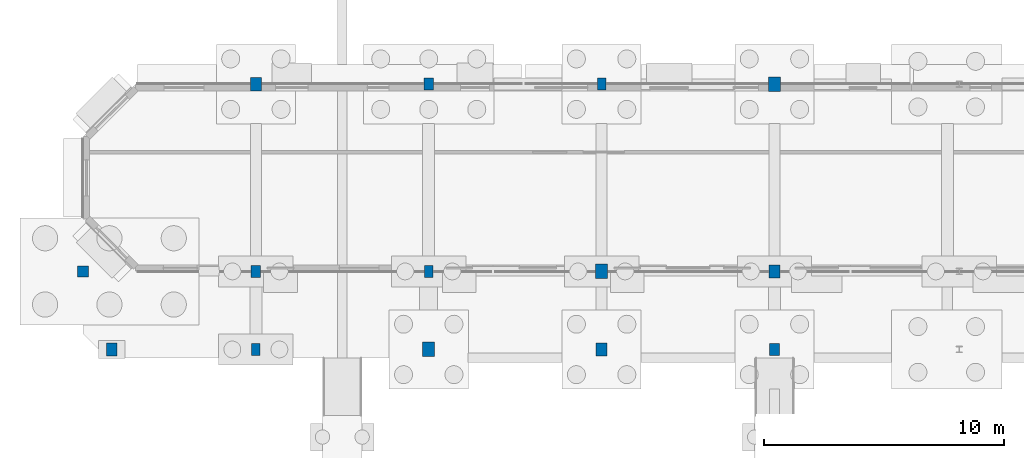
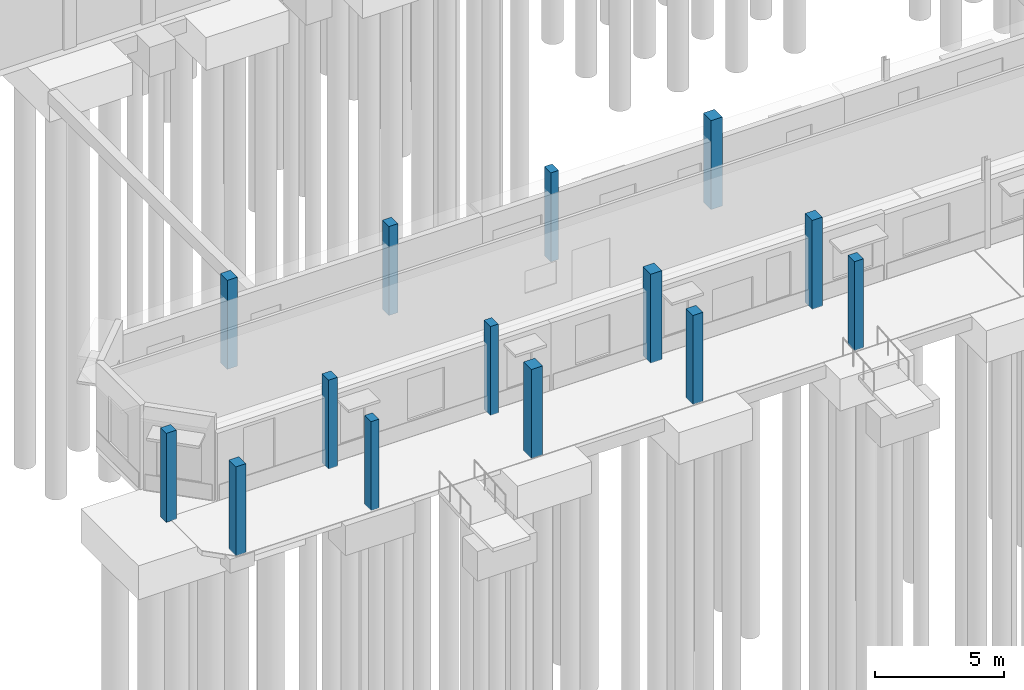
# One storey, part 10 of 93: 14 columns.
"""IFC4 building model written with IfcOpenShell, lengths in metres."""

from ifc_helpers import new_model, si_unit, direction, frame, origin, origin_2d, place, context, subcontext, project, spatial, rectangle, extrude, material, material_profile, profile_set, type_object, element, save


model = new_model("IFC4")

# Units and contexts
model_context = context("Model", 3, precision=1e-05, world=origin(), true_north=direction((0.0, 1.0)))
body_context = subcontext(model_context, "Body", "Model", "MODEL_VIEW")
ifc_project = project(units=[si_unit("LENGTHUNIT", "METRE"), si_unit("AREAUNIT", "SQUARE_METRE"), si_unit("VOLUMEUNIT", "CUBIC_METRE"), si_unit("PLANEANGLEUNIT", "RADIAN"), si_unit("MASSUNIT", "GRAM", prefix="KILO")], contexts=[model_context])

# Site, building, storey
site_placement = place(None, origin())
site = spatial("IfcSite", under=ifc_project, at=site_placement, CompositionType="ELEMENT")
building_placement = place(site_placement, origin())
building = spatial("IfcBuilding", under=site, at=building_placement, Name="Kelanivale Promenade Academy", CompositionType="ELEMENT")
storey_placement = place(building_placement, origin())
storey = spatial("IfcBuildingStorey", under=building, at=storey_placement, Name="L00", CompositionType="ELEMENT", Elevation=0.0)

# Columns
ifc_material = material(Name="Concrete C40/50", Category="concrete")
ifc_material_profile_1 = material_profile(ifc_material, rectangle(XDim=0.449951171875, YDim=0.449951171875, at=origin_2d()), Name="RC-COL 450x450")
ifc_profile_set_1 = profile_set([ifc_material_profile_1], Name="Concrete C40/50")
column_type_1 = type_object("IfcColumnType", Name="C-02 RC-COL 450x450", PredefinedType="COLUMN", material=ifc_profile_set_1)
column_placement = place(storey_placement, frame((0.0, 3.60009765625, 0.0), z_axis=(0.0, 0.0, 1.0), x_axis=(1.0, 0.0, 0.0)))
element("IfcColumn", 1, at=column_placement, inside=storey, type_object=column_type_1, Name="Column C-02 at (0.0, 3.6) L00", PredefinedType="COLUMN", context=body_context, shape_type="SweptSolid", body=[
    extrude(rectangle(XDim=0.449951171875, YDim=0.449951171875, at=origin_2d()), origin(), (0.0, 0.0, 1.0), 4.199951171875),
])
ifc_material_profile_2 = material_profile(ifc_material, rectangle(XDim=0.35009765625, YDim=0.5, at=origin_2d()), Name="RC-PIL 350x500")
ifc_profile_set_2 = profile_set([ifc_material_profile_2], Name="Concrete C40/50")
column_type_2 = type_object("IfcColumnType", Name="PL-15 RC-PIL 350x500", PredefinedType="PILASTER", material=ifc_profile_set_2)
for number, where, z_axis, x_axis, name in (
    (2, (7.199951171875, 0.35009765625, 0.0), (0.0, 0.0, 1.0), (1.0, 0.0, 0.0), "Column PL-15 at (7.2, 0.3) L00"),
    (3, (14.39990234375, 3.60009765625, 0.0), (0.0, 0.0, 1.0), (1.0, 0.0, 0.0), "Column PL-15 at (14.4, 3.6) L00"),
    (4, (21.60009765625, 11.39990234375, 0.0), (0.0, 0.0, 1.0), (1.0, 0.0, 0.0), "Column PL-15 at (21.6, 11.4) L00"),
):
    element("IfcColumn", number, at=place(storey_placement, frame(where, z_axis=z_axis, x_axis=x_axis)), inside=storey, type_object=column_type_2, Name=name, PredefinedType="PILASTER", context=body_context, shape_type="SweptSolid", body=[
        extrude(rectangle(XDim=0.35009765625, YDim=0.5, at=origin_2d()), origin(), (0.0, 0.0, 1.0), 4.199951171875),
    ])
ifc_material_profile_3 = material_profile(ifc_material, rectangle(XDim=0.39990234375, YDim=0.5, at=origin_2d()), Name="RC-PIL 400x500")
ifc_profile_set_3 = profile_set([ifc_material_profile_3], Name="Concrete C40/50")
column_type_3 = type_object("IfcColumnType", Name="PL-16 RC-PIL 400x500", PredefinedType="PILASTER", material=ifc_profile_set_3)
for number, where, z_axis, x_axis, name in (
    (5, (7.199951171875, 3.60009765625, 0.0), (0.0, 0.0, 1.0), (1.0, 0.0, 0.0), "Column PL-16 at (7.2, 3.6) L00"),
    (6, (14.39990234375, 11.39990234375, 0.0), (0.0, 0.0, 1.0), (1.0, 0.0, 0.0), "Column PL-16 at (14.4, 11.4) L00"),
    (7, (28.800048828125, 0.35009765625, 0.0), (0.0, 0.0, 1.0), (1.0, 0.0, 0.0), "Column PL-16 at (28.8, 0.3) L00"),
):
    element("IfcColumn", number, at=place(storey_placement, frame(where, z_axis=z_axis, x_axis=x_axis)), inside=storey, type_object=column_type_3, Name=name, PredefinedType="PILASTER", context=body_context, shape_type="SweptSolid", body=[
        extrude(rectangle(XDim=0.39990234375, YDim=0.5, at=origin_2d()), origin(), (0.0, 0.0, 1.0), 4.199951171875),
    ])
ifc_material_profile_4 = material_profile(ifc_material, rectangle(XDim=0.449951171875, YDim=0.550048828125, at=origin_2d()), Name="RC-PIL 450x550")
ifc_profile_set_4 = profile_set([ifc_material_profile_4], Name="Concrete C40/50")
column_type_4 = type_object("IfcColumnType", Name="PL-17 RC-PIL 450x550", PredefinedType="PILASTER", material=ifc_profile_set_4)
for number, where, z_axis, x_axis, name in (
    (8, (1.199951171875, 0.35009765625, 0.0), (0.0, 0.0, 1.0), (1.0, 0.0, 0.0), "Column PL-17 at (1.2, 0.3) L00"),
    (9, (7.199951171875, 11.39990234375, 0.0), (0.0, 0.0, 1.0), (1.0, 0.0, 0.0), "Column PL-17 at (7.2, 11.4) L00"),
    (10, (21.60009765625, 0.35009765625, 0.0), (0.0, 0.0, 1.0), (1.0, 0.0, 0.0), "Column PL-17 at (21.6, 0.3) L00"),
    (11, (28.800048828125, 3.60009765625, 0.0), (0.0, 0.0, 1.0), (1.0, 0.0, 0.0), "Column PL-17 at (28.8, 3.6) L00"),
):
    element("IfcColumn", number, at=place(storey_placement, frame(where, z_axis=z_axis, x_axis=x_axis)), inside=storey, type_object=column_type_4, Name=name, PredefinedType="PILASTER", context=body_context, shape_type="SweptSolid", body=[
        extrude(rectangle(XDim=0.449951171875, YDim=0.550048828125, at=origin_2d()), origin(), (0.0, 0.0, 1.0), 4.199951171875),
    ])
ifc_material_profile_5 = material_profile(ifc_material, rectangle(XDim=0.5, YDim=0.60009765625, at=origin_2d()), Name="RC-PIL 500x600")
ifc_profile_set_5 = profile_set([ifc_material_profile_5], Name="Concrete C40/50")
column_type_5 = type_object("IfcColumnType", Name="PL-18 RC-PIL 500x600", PredefinedType="PILASTER", material=ifc_profile_set_5)
for number, where, z_axis, x_axis, name in (
    (12, (14.39990234375, 0.35009765625, 0.0), (0.0, 0.0, 1.0), (1.0, 0.0, 0.0), "Column PL-18 at (14.4, 0.3) L00"),
    (13, (21.60009765625, 3.60009765625, 0.0), (0.0, 0.0, 1.0), (1.0, 0.0, 0.0), "Column PL-18 at (21.6, 3.6) L00"),
    (14, (28.800048828125, 11.39990234375, 0.0), (0.0, 0.0, 1.0), (1.0, 0.0, 0.0), "Column PL-18 at (28.8, 11.4) L00"),
):
    element("IfcColumn", number, at=place(storey_placement, frame(where, z_axis=z_axis, x_axis=x_axis)), inside=storey, type_object=column_type_5, Name=name, PredefinedType="PILASTER", context=body_context, shape_type="SweptSolid", body=[
        extrude(rectangle(XDim=0.5, YDim=0.60009765625, at=origin_2d()), origin(), (0.0, 0.0, 1.0), 4.199951171875),
    ])

save(model, "model.ifc")
